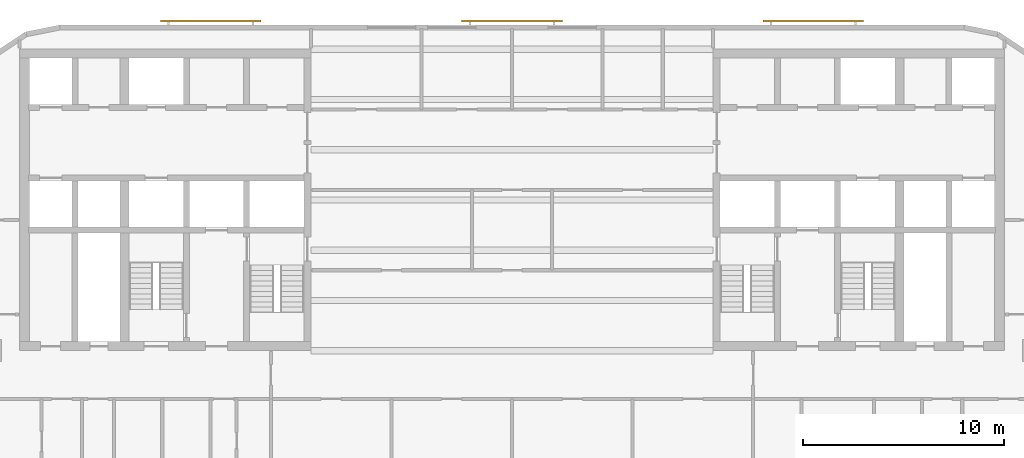
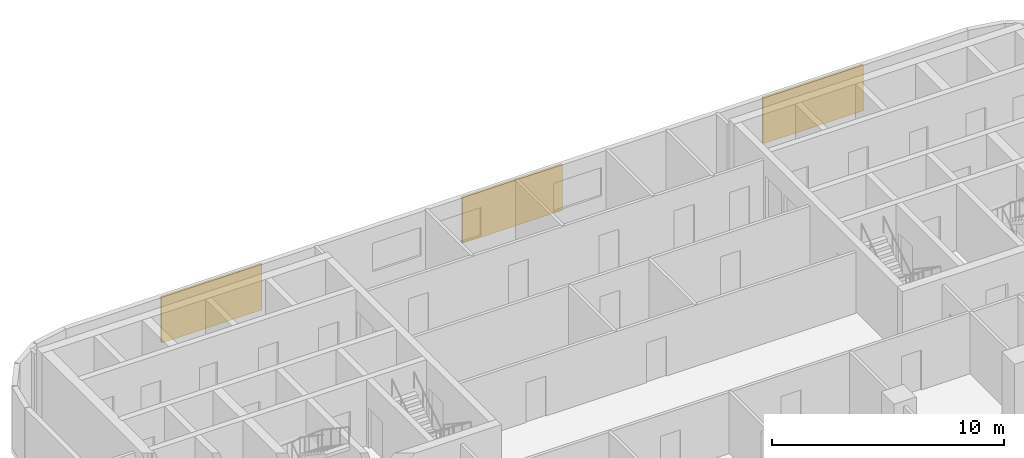
# One storey, part 10 of 11: 3 shading devices.
"""IFC4 building model written with IfcOpenShell, lengths in metres."""

from ifc_helpers import new_model, si_unit, direction, frame, origin, origin_2d, place, context, subcontext, project, spatial, rectangle, extrude, material, layer, layer_set, type_object, element, save


model = new_model("IFC4")

# Units and contexts
model_context = context("Model", 3, precision=1e-05, world=origin(), true_north=direction((0.0, 1.0)))
body_context = subcontext(model_context, "Body", "Model", "MODEL_VIEW")
ifc_project = project(units=[si_unit("LENGTHUNIT", "METRE"), si_unit("AREAUNIT", "SQUARE_METRE"), si_unit("VOLUMEUNIT", "CUBIC_METRE"), si_unit("PLANEANGLEUNIT", "RADIAN"), si_unit("MASSUNIT", "GRAM", prefix="KILO")], contexts=[model_context])

# Site, building, storey
site_placement = place(None, origin())
site = spatial("IfcSite", under=ifc_project, at=site_placement, CompositionType="ELEMENT")
building_placement = place(site_placement, origin())
building = spatial("IfcBuilding", under=site, at=building_placement, Name="Torana Hotel and Residences", CompositionType="ELEMENT")
storey_placement = place(building_placement, frame((0.0, 0.0, 236.10009765625)))
storey = spatial("IfcBuildingStorey", under=building, at=storey_placement, Name="L62", CompositionType="ELEMENT", Elevation=236.10009765625)

# Shading devices
ifc_material = material(Name="Concrete C40/50 precast", Category="concrete")
ifc_layer = layer(ifc_material, 0.10009765625)
ifc_layer_set = layer_set([ifc_layer], Name="SC1 PERFORATED BLOCK SCREEN PANEL 100")
shading_device_type = type_object("IfcShadingDeviceType", Name="SC1 PERFORATED BLOCK SCREEN PANEL 100", PredefinedType="USERDEFINED", material=ifc_layer_set)
for number, where, z_axis, x_axis, name in (
    (1, (14.983642578125, 1.39990234375, 0.5), (0.0, 0.0, 1.0), (-1.0, 0.0, 0.0), "Perforated block screen L62"),
    (2, (0.0, 1.39990234375, 0.5), (0.0, 0.0, 1.0), (-1.0, 0.0, 0.0), "Perforated block screen L62"),
    (3, (-14.983642578125, 1.39990234375, 0.5), (0.0, 0.0, 1.0), (-1.0, 0.0, 0.0), "Perforated block screen L62"),
):
    element("IfcShadingDevice", number, at=place(storey_placement, frame(where, z_axis=z_axis, x_axis=x_axis)), inside=storey, type_object=shading_device_type, Name=name, ObjectType="SCREEN", PredefinedType="USERDEFINED", context=body_context, shape_type="SweptSolid", body=[
        extrude(rectangle(XDim=5.0, YDim=0.10009765625, at=origin_2d()), origin(), (0.0, 0.0, 1.0), 2.419921875),
    ])

save(model, "model.ifc")
